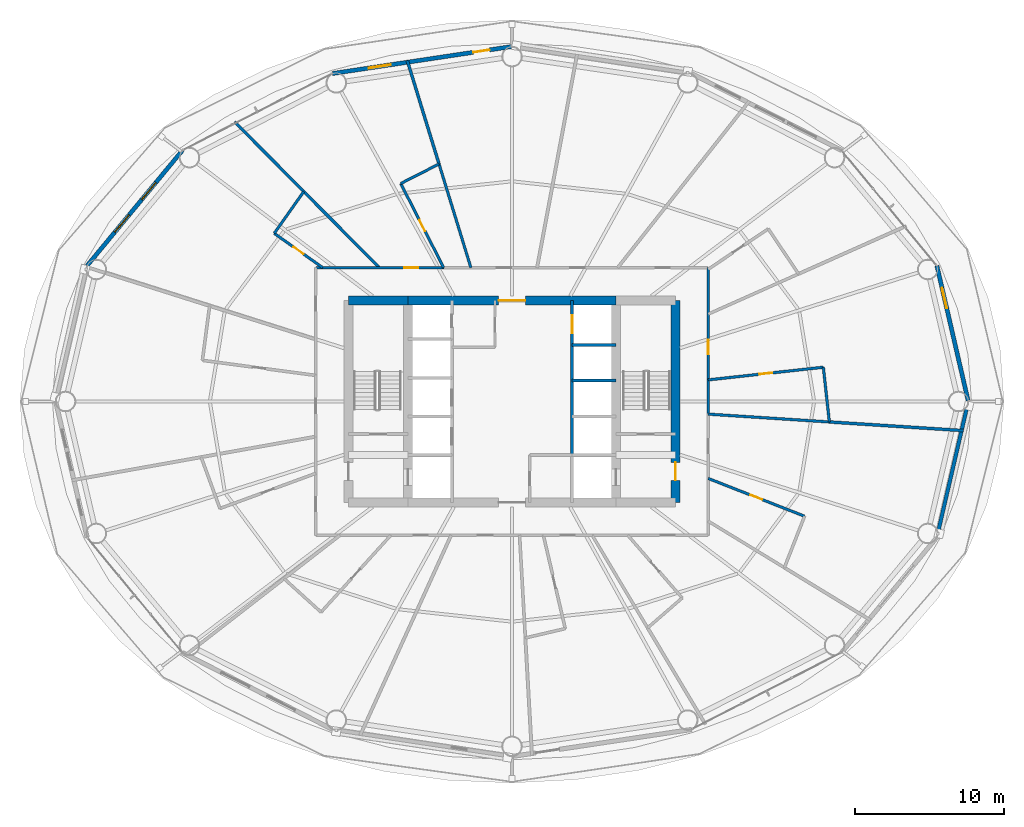
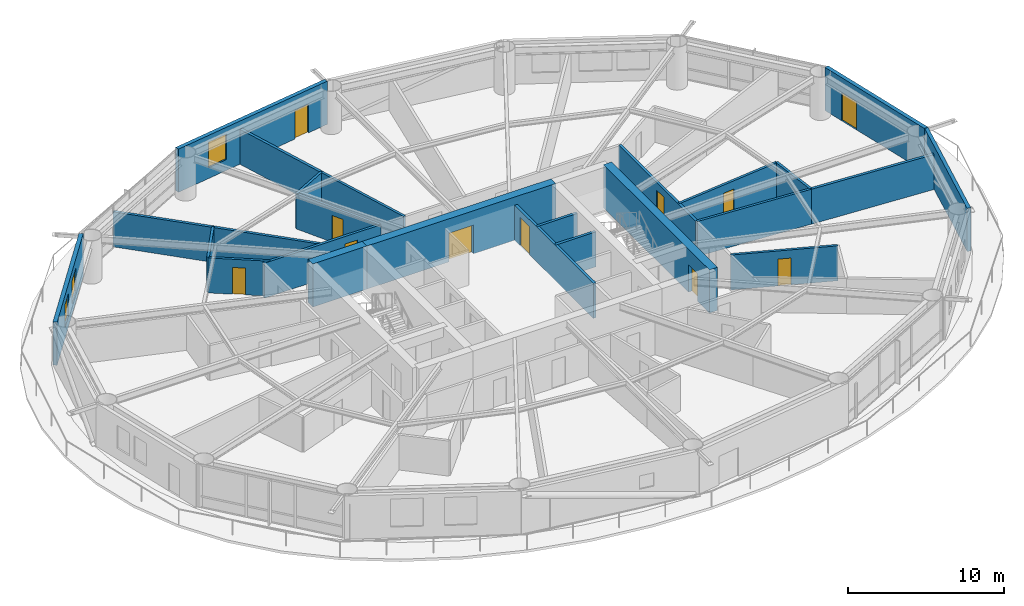
# One storey, part 22 of 26: 24 walls, 11 doors, 3 windows, 14 openings.
"""IFC4 building model written with IfcOpenShell, lengths in metres."""

from ifc_helpers import new_model, si_unit, direction, frame, frame_2d, origin, place, context, subcontext, project, spatial, rectangle, extrude, material, layer, layer_set, type_object, element, fill, save


model = new_model("IFC4")

# Units and contexts
model_context = context("Model", 3, precision=1e-05, world=origin(), true_north=direction((0.0, 1.0)))
body_context = subcontext(model_context, "Body", "Model", "MODEL_VIEW")
ifc_project = project(units=[si_unit("LENGTHUNIT", "METRE"), si_unit("AREAUNIT", "SQUARE_METRE"), si_unit("VOLUMEUNIT", "CUBIC_METRE"), si_unit("PLANEANGLEUNIT", "RADIAN"), si_unit("MASSUNIT", "GRAM", prefix="KILO")], contexts=[model_context])

# Site, building, storey
site_placement = place(None, origin())
site = spatial("IfcSite", under=ifc_project, at=site_placement, CompositionType="ELEMENT")
building_placement = place(site_placement, origin())
building = spatial("IfcBuilding", under=site, at=building_placement, Name="Sarneth Arch Tower", CompositionType="ELEMENT")
storey_placement = place(building_placement, frame((0.0, 0.0, 57.0)))
storey = spatial("IfcBuildingStorey", under=building, at=storey_placement, Name="L13", CompositionType="ELEMENT", Elevation=57.0)

# Wall
ifc_material_1 = material(Name="Concrete C60/75", Category="concrete")
ifc_layer_1 = layer(ifc_material_1, 0.60009765625)
ifc_layer_set_1 = layer_set([ifc_layer_1], Name="Concrete C60/75")
wall_type_1 = type_object("IfcWallType", Name="WALL-CORE-600", PredefinedType="SHEAR", material=ifc_layer_set_1)
wall_1_placement = place(storey_placement, frame((37.0, 48.800048828125, 0.0), z_axis=(0.0, 0.0, 1.0), x_axis=(1.0, 0.0, 0.0)))
element("IfcWall", 1, at=wall_1_placement, inside=storey, type_object=wall_type_1, Name="L13 Core shear wall N-W", PredefinedType="SHEAR", context=body_context, shape_type="SweptSolid", body=[
    extrude(rectangle(XDim=4.0, YDim=0.60009765625, at=frame_2d((2.0, 0.0))), origin(), (0.0, 0.0, 1.0), 3.3798828125),
])

# Wall, opening, door
wall_2_placement = place(storey_placement, frame((41.0, 48.800048828125, 0.0), z_axis=(0.0, 0.0, 1.0), x_axis=(1.0, 0.0, 0.0)))
wall_2 = element("IfcWall", 2, at=wall_2_placement, inside=storey, type_object=wall_type_1, Name="L13 Core shear wall N-M", PredefinedType="SHEAR", context=body_context, shape_type="SweptSolid", body=[
    extrude(rectangle(XDim=14.0, YDim=0.60009765625, at=frame_2d((7.0, 0.0))), origin(), (0.0, 0.0, 1.0), 3.3798828125),
])
opening_1_placement = place(wall_2_placement, frame((6.10009765625, 0.0, 0.0)))
opening_1 = element("IfcOpeningElement", 3, at=opening_1_placement, cuts=wall_2, Name="Opening FD-01", PredefinedType="OPENING", context=body_context, shape_type="SweptSolid", body=[
    extrude(rectangle(XDim=1.800048828125, YDim=2.25, at=frame_2d((0.89990234375, 1.125))), frame((0.0, 0.31005859375, 0.0), z_axis=(0.0, -1.0, 0.0), x_axis=(1.0, 0.0, 0.0)), (0.0, 0.0, 1.0), 0.6201171875),
])
ifc_material_2 = material(Name="Galvanised Steel S275 fire door set", Category="steel")
door_type_1 = type_object("IfcDoorType", Name="DR-FD90-1800", OperationType="DOUBLE_DOOR_SINGLE_SWING", PredefinedType="DOOR", material=ifc_material_2)
door_1_placement = place(opening_1_placement, origin())
door_1 = element("IfcDoor", 4, at=door_1_placement, inside=storey, type_object=door_type_1, Name="L13 Central lift lobby north door", OperationType="DOUBLE_DOOR_SINGLE_SWING", OverallHeight=2.25, OverallWidth=1.800048828125, PredefinedType="DOOR", context=body_context, shape_type="SweptSolid", body=[
    extrude(rectangle(XDim=1.800048828125, YDim=2.25, at=frame_2d((0.89990234375, 1.125))), frame((0.0, 0.02490234375, 0.0), z_axis=(0.0, -1.0, 0.0), x_axis=(1.0, 0.0, 0.0)), (0.0, 0.0, 1.0), 0.050048828125),
])
fill(opening_1, door_1)

wall_3_placement = place(storey_placement, frame((59.0, 35.199951171875, 0.0), z_axis=(0.0, 0.0, 1.0), x_axis=(0.0, 1.0, 0.0)))
wall_3 = element("IfcWall", 5, at=wall_3_placement, inside=storey, type_object=wall_type_1, Name="L13 Core shear wall E", PredefinedType="SHEAR", context=body_context, shape_type="SweptSolid", body=[
    extrude(rectangle(XDim=13.60009765625, YDim=0.60009765625, at=frame_2d((6.800048828125, 0.0))), origin(), (0.0, 0.0, 1.0), 3.3798828125),
])
opening_2_placement = place(wall_3_placement, frame((1.5, 0.0, 0.0)))
opening_2 = element("IfcOpeningElement", 6, at=opening_2_placement, cuts=wall_3, Name="Opening FD-02", PredefinedType="OPENING", context=body_context, shape_type="SweptSolid", body=[
    extrude(rectangle(XDim=1.199951171875, YDim=2.14990234375, at=frame_2d((0.60009765625, 1.074951171875))), frame((0.0, 0.31005859375, 0.0), z_axis=(0.0, -1.0, 0.0), x_axis=(1.0, 0.0, 0.0)), (0.0, 0.0, 1.0), 0.6201171875),
])
ifc_material_3 = material(Name="Galvanised Steel S275 fire door set", Category="steel")
door_type_2 = type_object("IfcDoorType", Name="DR-FD90-1200", OperationType="SINGLE_SWING_LEFT", PredefinedType="DOOR", material=ifc_material_3)
door_2_placement = place(opening_2_placement, origin())
door_2 = element("IfcDoor", 7, at=door_2_placement, inside=storey, type_object=door_type_2, Name="L13 Firefighting lobby 2 exit door", OperationType="SINGLE_SWING_RIGHT", OverallHeight=2.14990234375, OverallWidth=1.199951171875, PredefinedType="DOOR", context=body_context, shape_type="SweptSolid", body=[
    extrude(rectangle(XDim=1.199951171875, YDim=2.14990234375, at=frame_2d((0.60009765625, 1.074951171875))), frame((0.0, 0.02490234375, 0.0), z_axis=(0.0, -1.0, 0.0), x_axis=(1.0, 0.0, 0.0)), (0.0, 0.0, 1.0), 0.050048828125),
])
fill(opening_2, door_2)

ifc_material_4 = material(Name="Double steel-stud corridor fire wall", Category="steel")
ifc_layer_2 = layer(ifc_material_4, 0.18994140625)
ifc_layer_set_2 = layer_set([ifc_layer_2], Name="Double steel-stud corridor fire wall")
wall_type_2 = type_object("IfcWallType", Name="WALL-CORR-190", PredefinedType="PARTITIONING", material=ifc_layer_set_2)
wall_4_placement = place(storey_placement, frame((61.199951171875, 51.0, 0.0), z_axis=(0.0, 0.0, 1.0), x_axis=(0.0, -1.0, 0.0)))
wall_4 = element("IfcWall", 8, at=wall_4_placement, inside=storey, type_object=wall_type_2, Name="L13 Interior partition W-L13-TP-026", PredefinedType="PARTITIONING", context=body_context, shape_type="SweptSolid", body=[
    extrude(rectangle(XDim=9.851806640625, YDim=0.18994140625, at=frame_2d((4.92578125, 0.0))), origin(), (0.0, 0.0, 1.0), 2.739990234375),
])
opening_3_placement = place(wall_4_placement, frame((4.859130859375, 0.0, 0.0)))
opening_3 = element("IfcOpeningElement", 9, at=opening_3_placement, cuts=wall_4, Name="Opening FD-09", PredefinedType="OPENING", context=body_context, shape_type="SweptSolid", body=[
    extrude(rectangle(XDim=0.949951171875, YDim=2.14990234375, at=frame_2d((0.47509765625, 1.074951171875))), frame((0.0, 0.10498046875, 0.0), z_axis=(0.0, -1.0, 0.0), x_axis=(1.0, 0.0, 0.0)), (0.0, 0.0, 1.0), 0.2099609375),
])
ifc_material_5 = material(Name="Hardwood timber hotel entrance fire door", Category="wood")
door_type_3 = type_object("IfcDoorType", Name="DR-FD60-950", OperationType="SINGLE_SWING_RIGHT", PredefinedType="DOOR", material=ifc_material_5)
door_3_placement = place(opening_3_placement, origin())
door_3 = element("IfcDoor", 10, at=door_3_placement, inside=storey, type_object=door_type_3, Name="L13 Interior door DR-L13-KEY-13", OperationType="SINGLE_SWING_RIGHT", OverallHeight=2.14990234375, OverallWidth=0.949951171875, PredefinedType="DOOR", context=body_context, shape_type="SweptSolid", body=[
    extrude(rectangle(XDim=0.949951171875, YDim=2.14990234375, at=frame_2d((0.47509765625, 1.074951171875))), frame((0.0, 0.02490234375, 0.0), z_axis=(0.0, -1.0, 0.0), x_axis=(1.0, 0.0, 0.0)), (0.0, 0.0, 1.0), 0.050048828125),
])
fill(opening_3, door_3)

wall_5_placement = place(storey_placement, frame((34.800048828125, 51.0, 0.0), z_axis=(0.0, 0.0, 1.0), x_axis=(1.0, 0.0, 0.0)))
wall_5 = element("IfcWall", 11, at=wall_5_placement, inside=storey, type_object=wall_type_2, Name="L13 Interior partition W-L13-TP-006", PredefinedType="PARTITIONING", context=body_context, shape_type="SweptSolid", body=[
    extrude(rectangle(XDim=8.640869140625, YDim=0.18994140625, at=frame_2d((4.3203125, 0.0))), origin(), (0.0, 0.0, 1.0), 2.739990234375),
])
opening_4_placement = place(wall_5_placement, frame((5.958984375, 0.0, 0.0)))
opening_4 = element("IfcOpeningElement", 12, at=opening_4_placement, cuts=wall_5, Name="Opening FD-09", PredefinedType="OPENING", context=body_context, shape_type="SweptSolid", body=[
    extrude(rectangle(XDim=0.949951171875, YDim=2.14990234375, at=frame_2d((0.47509765625, 1.074951171875))), frame((0.0, 0.10498046875, 0.0), z_axis=(0.0, -1.0, 0.0), x_axis=(1.0, 0.0, 0.0)), (0.0, 0.0, 1.0), 0.2099609375),
])
door_4_placement = place(opening_4_placement, origin())
door_4 = element("IfcDoor", 13, at=door_4_placement, inside=storey, type_object=door_type_3, Name="L13 Interior door DR-L13-KEY-04", OperationType="SINGLE_SWING_RIGHT", OverallHeight=2.14990234375, OverallWidth=0.949951171875, PredefinedType="DOOR", context=body_context, shape_type="SweptSolid", body=[
    extrude(rectangle(XDim=0.949951171875, YDim=2.14990234375, at=frame_2d((0.47509765625, 1.074951171875))), frame((0.0, 0.02490234375, 0.0), z_axis=(0.0, -1.0, 0.0), x_axis=(1.0, 0.0, 0.0)), (0.0, 0.0, 1.0), 0.050048828125),
])
fill(opening_4, door_4)

# Wall
ifc_material_6 = material(Name="Extruded terracotta rainscreen on Concrete C40/50 backing", Category="masonry")
ifc_layer_3 = layer(ifc_material_6, 0.25)
ifc_layer_set_3 = layer_set([ifc_layer_3], Name="Extruded terracotta rainscreen on Concrete C40/50 backing")
wall_type_3 = type_object("IfcWallType", Name="WALL-EXT-SPAND-250", PredefinedType="SOLIDWALL", material=ifc_layer_set_3)
wall_6_placement = place(storey_placement, frame((76.5810546875, 32.861572265625, 0.0), z_axis=(0.0, 0.0, 1.0), x_axis=(0.225454452941, 0.974253709076, 0.0)))
element("IfcWall", 14, at=wall_6_placement, inside=storey, type_object=wall_type_3, Name="L13 Terracotta perimeter wall 16", PredefinedType="SOLIDWALL", context=body_context, shape_type="SweptSolid", body=[
    extrude(rectangle(XDim=9.3798828125, YDim=0.25, at=frame_2d((4.68994140625, 0.0))), origin(), (0.0, 0.0, 1.0), 3.3798828125),
])

# Wall, opening, door
ifc_material_7 = material(Name="Extruded terracotta rainscreen on Concrete C40/50 backing", Category="masonry")
ifc_layer_4 = layer(ifc_material_7, 0.280029296875)
ifc_layer_set_4 = layer_set([ifc_layer_4], Name="Extruded terracotta rainscreen on Concrete C40/50 backing")
wall_type_4 = type_object("IfcWallType", Name="WALL-EXT-TERRA-280", PredefinedType="SOLIDWALL", material=ifc_layer_set_4)
wall_7_placement = place(storey_placement, frame((78.69580078125, 42.0, 0.0), z_axis=(0.0, 0.0, 1.0), x_axis=(-0.225454452941, 0.974253709076, 0.0)))
wall_7 = element("IfcWall", 15, at=wall_7_placement, inside=storey, type_object=wall_type_4, Name="L13 Terracotta perimeter wall 01", PredefinedType="SOLIDWALL", context=body_context, shape_type="SweptSolid", body=[
    extrude(rectangle(XDim=9.3798828125, YDim=0.280029296875, at=frame_2d((4.68994140625, 0.0))), origin(), (0.0, 0.0, 1.0), 3.3798828125),
])
opening_5_placement = place(wall_7_placement, frame((6.435302734375, 0.0, 0.0)))
opening_5 = element("IfcOpeningElement", 16, at=opening_5_placement, cuts=wall_7, Name="Opening BD-2", PredefinedType="OPENING", context=body_context, shape_type="SweptSolid", body=[
    extrude(rectangle(XDim=1.39990234375, YDim=2.199951171875, at=frame_2d((0.699951171875, 1.10009765625))), frame((0.0, 0.14990234375, 0.0), z_axis=(0.0, -1.0, 0.0), x_axis=(1.0, 0.0, 0.0)), (0.0, 0.0, 1.0), 0.300048828125),
])
ifc_material_8 = material(Name="Thermally broken Aluminium 6063-T6 and laminated safety glass", Category="aluminium")
door_type_4 = type_object("IfcDoorType", Name="DR-BALC-GLZ-1400", OperationType="SINGLE_SWING_LEFT", PredefinedType="DOOR", material=ifc_material_8)
door_5_placement = place(opening_5_placement, origin())
door_5 = element("IfcDoor", 17, at=door_5_placement, inside=storey, type_object=door_type_4, Name="L13 Balcony glazed door 01", OperationType="SINGLE_SWING_LEFT", OverallHeight=2.199951171875, OverallWidth=1.39990234375, PredefinedType="DOOR", context=body_context, shape_type="SweptSolid", body=[
    extrude(rectangle(XDim=1.39990234375, YDim=2.199951171875, at=frame_2d((0.699951171875, 1.10009765625))), frame((0.0, 0.02490234375, 0.0), z_axis=(0.0, -1.0, 0.0), x_axis=(1.0, 0.0, 0.0)), (0.0, 0.0, 1.0), 0.050048828125),
])
fill(opening_5, door_5)

# Wall, openings, door, window
wall_8_placement = place(storey_placement, frame((48.0, 65.8798828125, 0.0), z_axis=(0.0, 0.0, 1.0), x_axis=(-0.988864835849, -0.148816452121, 0.0)))
wall_8 = element("IfcWall", 18, at=wall_8_placement, inside=storey, type_object=wall_type_4, Name="L13 Terracotta perimeter wall 05", PredefinedType="SOLIDWALL", context=body_context, shape_type="SweptSolid", body=[
    extrude(rectangle(XDim=12.2138671875, YDim=0.280029296875, at=frame_2d((6.10693359375, 0.0))), origin(), (0.0, 0.0, 1.0), 3.3798828125),
])
opening_6_placement = place(wall_8_placement, frame((1.53125, 0.0, 0.0)))
opening_6 = element("IfcOpeningElement", 19, at=opening_6_placement, cuts=wall_8, Name="Opening BD-3", PredefinedType="OPENING", context=body_context, shape_type="SweptSolid", body=[
    extrude(rectangle(XDim=1.10009765625, YDim=2.25, at=frame_2d((0.550048828125, 1.125))), frame((0.0, 0.14990234375, 0.0), z_axis=(0.0, -1.0, 0.0), x_axis=(1.0, 0.0, 0.0)), (0.0, 0.0, 1.0), 0.300048828125),
])
opening_7_placement = place(wall_8_placement, frame((8.25439453125, 0.0, 0.85009765625)))
opening_7 = element("IfcOpeningElement", 20, at=opening_7_placement, cuts=wall_8, Name="Opening W-06", PredefinedType="OPENING", context=body_context, shape_type="SweptSolid", body=[
    extrude(rectangle(XDim=1.5, YDim=2.0, at=frame_2d((0.75, 1.0))), frame((0.0, 0.14990234375, 0.0), z_axis=(0.0, -1.0, 0.0), x_axis=(1.0, 0.0, 0.0)), (0.0, 0.0, 1.0), 0.300048828125),
])
ifc_material_9 = material(Name="Thermally broken Aluminium 6063-T6 and laminated safety glass", Category="aluminium")
door_type_5 = type_object("IfcDoorType", Name="DR-BALC-GLZ-1100", OperationType="SINGLE_SWING_LEFT", PredefinedType="DOOR", material=ifc_material_9)
door_6_placement = place(opening_6_placement, origin())
door_6 = element("IfcDoor", 21, at=door_6_placement, inside=storey, type_object=door_type_5, Name="L13 Balcony glazed door 05", OperationType="SINGLE_SWING_LEFT", OverallHeight=2.25, OverallWidth=1.10009765625, PredefinedType="DOOR", context=body_context, shape_type="SweptSolid", body=[
    extrude(rectangle(XDim=1.10009765625, YDim=2.25, at=frame_2d((0.550048828125, 1.125))), frame((0.0, 0.02490234375, 0.0), z_axis=(0.0, -1.0, 0.0), x_axis=(1.0, 0.0, 0.0)), (0.0, 0.0, 1.0), 0.050048828125),
])
fill(opening_6, door_6)
ifc_material_10 = material(Name="Thermally broken Aluminium 6063-T6 and low-e laminated IGU", Category="aluminium")
window_type_1 = type_object("IfcWindowType", Name="WIN-TWR-1500x2000", PartitioningType="SINGLE_PANEL", PredefinedType="WINDOW", material=ifc_material_10)
window_1_placement = place(opening_7_placement, origin())
window_1 = element("IfcWindow", 22, at=window_1_placement, inside=storey, type_object=window_type_1, Name="L13 Exterior window 05A", OverallHeight=2.0, OverallWidth=1.5, PartitioningType="SINGLE_PANEL", PredefinedType="WINDOW", context=body_context, shape_type="SweptSolid", body=[
    extrude(rectangle(XDim=1.5, YDim=2.0, at=frame_2d((0.75, 1.0))), frame((0.0, 0.030029296875, 0.0), z_axis=(0.0, -1.0, 0.0), x_axis=(1.0, 0.0, 0.0)), (0.0, 0.0, 1.0), 0.06005859375),
])
fill(opening_7, window_1)

# Wall, openings, windows
wall_9_placement = place(storey_placement, frame((25.825927734375, 58.8857421875, 0.0), z_axis=(0.0, 0.0, 1.0), x_axis=(-0.637296809613, -0.770618437657, 0.0)))
wall_9 = element("IfcWall", 23, at=wall_9_placement, inside=storey, type_object=wall_type_4, Name="L13 Terracotta perimeter wall 07", PredefinedType="SOLIDWALL", context=body_context, shape_type="SweptSolid", body=[
    extrude(rectangle(XDim=10.053466796875, YDim=0.280029296875, at=frame_2d((5.02685546875, 0.0))), origin(), (0.0, 0.0, 1.0), 3.3798828125),
])
opening_8_placement = place(wall_9_placement, frame((2.798095703125, 0.0, 0.85009765625)))
opening_8 = element("IfcOpeningElement", 24, at=opening_8_placement, cuts=wall_9, Name="Opening W-07", PredefinedType="OPENING", context=body_context, shape_type="SweptSolid", body=[
    extrude(rectangle(XDim=1.5, YDim=1.800048828125, at=frame_2d((0.75, 0.89990234375))), frame((0.0, 0.14990234375, 0.0), z_axis=(0.0, -1.0, 0.0), x_axis=(1.0, 0.0, 0.0)), (0.0, 0.0, 1.0), 0.300048828125),
])
opening_9_placement = place(wall_9_placement, frame((5.6298828125, 0.0, 0.85009765625)))
opening_9 = element("IfcOpeningElement", 25, at=opening_9_placement, cuts=wall_9, Name="Opening W-07", PredefinedType="OPENING", context=body_context, shape_type="SweptSolid", body=[
    extrude(rectangle(XDim=1.5, YDim=1.800048828125, at=frame_2d((0.75, 0.89990234375))), frame((0.0, 0.14990234375, 0.0), z_axis=(0.0, -1.0, 0.0), x_axis=(1.0, 0.0, 0.0)), (0.0, 0.0, 1.0), 0.300048828125),
])
ifc_material_11 = material(Name="Thermally broken Aluminium 6063-T6 and low-e laminated IGU", Category="aluminium")
window_type_2 = type_object("IfcWindowType", Name="WIN-TWR-1500x1800", PartitioningType="SINGLE_PANEL", PredefinedType="WINDOW", material=ifc_material_11)
window_2_placement = place(opening_8_placement, origin())
window_2 = element("IfcWindow", 26, at=window_2_placement, inside=storey, type_object=window_type_2, Name="L13 Exterior window 07A", OverallHeight=1.800048828125, OverallWidth=1.5, PartitioningType="SINGLE_PANEL", PredefinedType="WINDOW", context=body_context, shape_type="SweptSolid", body=[
    extrude(rectangle(XDim=1.5, YDim=1.800048828125, at=frame_2d((0.75, 0.89990234375))), frame((0.0, 0.030029296875, 0.0), z_axis=(0.0, -1.0, 0.0), x_axis=(1.0, 0.0, 0.0)), (0.0, 0.0, 1.0), 0.06005859375),
])
fill(opening_8, window_2)
window_3_placement = place(opening_9_placement, origin())
window_3 = element("IfcWindow", 27, at=window_3_placement, inside=storey, type_object=window_type_2, Name="L13 Exterior window 07B", OverallHeight=1.800048828125, OverallWidth=1.5, PartitioningType="SINGLE_PANEL", PredefinedType="WINDOW", context=body_context, shape_type="SweptSolid", body=[
    extrude(rectangle(XDim=1.5, YDim=1.800048828125, at=frame_2d((0.75, 0.89990234375))), frame((0.0, 0.030029296875, 0.0), z_axis=(0.0, -1.0, 0.0), x_axis=(1.0, 0.0, 0.0)), (0.0, 0.0, 1.0), 0.06005859375),
])
fill(opening_9, window_3)

# Wall
ifc_material_12 = material(Name="Moisture-resistant plumbing chase wall", Category="gypsum")
ifc_layer_5 = layer(ifc_material_12, 0.179931640625)
ifc_layer_set_5 = layer_set([ifc_layer_5], Name="Moisture-resistant plumbing chase wall")
wall_type_5 = type_object("IfcWallType", Name="WALL-PLUMB-180", PredefinedType="PLUMBINGWALL", material=ifc_layer_set_5)
wall_10_placement = place(storey_placement, frame((69.34912109375, 40.622314453125, 0.0), z_axis=(0.0, 0.0, 1.0), x_axis=(-0.997924317455, 0.064397644621, 0.0)))
element("IfcWall", 28, at=wall_10_placement, inside=storey, type_object=wall_type_5, Name="L13 Interior partition W-L13-TP-068", PredefinedType="PLUMBINGWALL", context=body_context, shape_type="SweptSolid", body=[
    extrude(rectangle(XDim=8.166015625, YDim=0.179931640625, at=frame_2d((4.0830078125, 0.0))), origin(), (0.0, 0.0, 1.0), 2.739990234375),
])

# Wall, opening, door
wall_11_placement = place(storey_placement, frame((61.199951171875, 43.451904296875, 0.0), z_axis=(0.0, 0.0, 1.0), x_axis=(0.994005037085, 0.109334286708, 0.0)))
wall_11 = element("IfcWall", 29, at=wall_11_placement, inside=storey, type_object=wall_type_5, Name="L13 Interior partition W-L13-TP-069", PredefinedType="PLUMBINGWALL", context=body_context, shape_type="SweptSolid", body=[
    extrude(rectangle(XDim=7.790771484375, YDim=0.179931640625, at=frame_2d((3.8955078125, 0.0))), origin(), (0.0, 0.0, 1.0), 2.739990234375),
])
opening_10_placement = place(wall_11_placement, frame((3.470458984375, 0.0, 0.0)))
opening_10 = element("IfcOpeningElement", 30, at=opening_10_placement, cuts=wall_11, Name="Opening ID-02", PredefinedType="OPENING", context=body_context, shape_type="SweptSolid", body=[
    extrude(rectangle(XDim=0.85009765625, YDim=2.10009765625, at=frame_2d((0.425048828125, 1.050048828125))), frame((0.0, 0.099853515625, 0.0), z_axis=(0.0, -1.0, 0.0), x_axis=(1.0, 0.0, 0.0)), (0.0, 0.0, 1.0), 0.199951171875),
])
ifc_material_13 = material(Name="Moisture-resistant bathroom timber door", Category="wood")
door_type_6 = type_object("IfcDoorType", Name="DR-INT-850", OperationType="SINGLE_SWING_RIGHT", PredefinedType="DOOR", material=ifc_material_13)
door_7_placement = place(opening_10_placement, origin())
door_7 = element("IfcDoor", 31, at=door_7_placement, inside=storey, type_object=door_type_6, Name="L13 Interior door DR-L13-ENS-13", OperationType="SINGLE_SWING_LEFT", OverallHeight=2.10009765625, OverallWidth=0.85009765625, PredefinedType="DOOR", context=body_context, shape_type="SweptSolid", body=[
    extrude(rectangle(XDim=0.85009765625, YDim=2.10009765625, at=frame_2d((0.425048828125, 1.050048828125))), frame((0.0, 0.02490234375, 0.0), z_axis=(0.0, -1.0, 0.0), x_axis=(1.0, 0.0, 0.0)), (0.0, 0.0, 1.0), 0.050048828125),
])
fill(opening_10, door_7)

# Wall
wall_12_placement = place(storey_placement, frame((43.092041015625, 57.976318359375, 0.0), z_axis=(0.0, 0.0, 1.0), x_axis=(0.293648581073, -0.95591344317, 0.0)))
element("IfcWall", 32, at=wall_12_placement, inside=storey, type_object=wall_type_5, Name="L13 Interior partition W-L13-TP-035", PredefinedType="PLUMBINGWALL", context=body_context, shape_type="SweptSolid", body=[
    extrude(rectangle(XDim=7.298095703125, YDim=0.179931640625, at=frame_2d((3.64892578125, 0.0))), origin(), (0.0, 0.0, 1.0), 2.739990234375),
])

# Wall, opening, door
wall_13_placement = place(storey_placement, frame((61.199951171875, 36.822998046875, 0.0), z_axis=(0.0, 0.0, 1.0), x_axis=(0.930954264603, -0.365135806539, 0.0)))
wall_13 = element("IfcWall", 33, at=wall_13_placement, inside=storey, type_object=wall_type_5, Name="L13 Interior partition W-L13-TP-065", PredefinedType="PLUMBINGWALL", context=body_context, shape_type="SweptSolid", body=[
    extrude(rectangle(XDim=6.961181640625, YDim=0.179931640625, at=frame_2d((3.48046875, 0.0))), origin(), (0.0, 0.0, 1.0), 2.739990234375),
])
opening_11_placement = place(wall_13_placement, frame((3.055419921875, 0.0, 0.0)))
opening_11 = element("IfcOpeningElement", 34, at=opening_11_placement, cuts=wall_13, Name="Opening ID-02", PredefinedType="OPENING", context=body_context, shape_type="SweptSolid", body=[
    extrude(rectangle(XDim=0.85009765625, YDim=2.10009765625, at=frame_2d((0.425048828125, 1.050048828125))), frame((0.0, 0.099853515625, 0.0), z_axis=(0.0, -1.0, 0.0), x_axis=(1.0, 0.0, 0.0)), (0.0, 0.0, 1.0), 0.199951171875),
])
door_8_placement = place(opening_11_placement, origin())
door_8 = element("IfcDoor", 35, at=door_8_placement, inside=storey, type_object=door_type_6, Name="L13 Interior door DR-L13-ENS-12", OperationType="SINGLE_SWING_LEFT", OverallHeight=2.10009765625, OverallWidth=0.85009765625, PredefinedType="DOOR", context=body_context, shape_type="SweptSolid", body=[
    extrude(rectangle(XDim=0.85009765625, YDim=2.10009765625, at=frame_2d((0.425048828125, 1.050048828125))), frame((0.0, 0.02490234375, 0.0), z_axis=(0.0, -1.0, 0.0), x_axis=(1.0, 0.0, 0.0)), (0.0, 0.0, 1.0), 0.050048828125),
])
fill(opening_11, door_8)

wall_14_placement = place(storey_placement, frame((43.405029296875, 51.0, 0.0), z_axis=(0.0, 0.0, 1.0), x_axis=(-0.454680565764, 0.890654581259, 0.0)))
wall_14 = element("IfcWall", 36, at=wall_14_placement, inside=storey, type_object=wall_type_5, Name="L13 Interior partition W-L13-TP-036", PredefinedType="PLUMBINGWALL", context=body_context, shape_type="SweptSolid", body=[
    extrude(rectangle(XDim=6.35595703125, YDim=0.179931640625, at=frame_2d((3.177978515625, 0.0))), origin(), (0.0, 0.0, 1.0), 2.739990234375),
])
opening_12_placement = place(wall_14_placement, frame((2.7529296875, 0.0, 0.0)))
opening_12 = element("IfcOpeningElement", 37, at=opening_12_placement, cuts=wall_14, Name="Opening ID-02", PredefinedType="OPENING", context=body_context, shape_type="SweptSolid", body=[
    extrude(rectangle(XDim=0.85009765625, YDim=2.10009765625, at=frame_2d((0.425048828125, 1.050048828125))), frame((0.0, 0.099853515625, 0.0), z_axis=(0.0, -1.0, 0.0), x_axis=(1.0, 0.0, 0.0)), (0.0, 0.0, 1.0), 0.199951171875),
])
door_9_placement = place(opening_12_placement, origin())
door_9 = element("IfcDoor", 38, at=door_9_placement, inside=storey, type_object=door_type_6, Name="L13 Interior door DR-L13-ENS-04", OperationType="SINGLE_SWING_RIGHT", OverallHeight=2.10009765625, OverallWidth=0.85009765625, PredefinedType="DOOR", context=body_context, shape_type="SweptSolid", body=[
    extrude(rectangle(XDim=0.85009765625, YDim=2.10009765625, at=frame_2d((0.425048828125, 1.050048828125))), frame((0.0, 0.02490234375, 0.0), z_axis=(0.0, -1.0, 0.0), x_axis=(1.0, 0.0, 0.0)), (0.0, 0.0, 1.0), 0.050048828125),
])
fill(opening_12, door_9)

wall_15_placement = place(storey_placement, frame((32.0048828125, 53.30908203125, 0.0), z_axis=(0.0, 0.0, 1.0), x_axis=(0.816524416543, -0.577310901672, 0.0)))
wall_15 = element("IfcWall", 39, at=wall_15_placement, inside=storey, type_object=wall_type_5, Name="L13 Interior partition W-L13-TP-041", PredefinedType="PLUMBINGWALL", context=body_context, shape_type="SweptSolid", body=[
    extrude(rectangle(XDim=3.999755859375, YDim=0.179931640625, at=frame_2d((2.0, 0.0))), origin(), (0.0, 0.0, 1.0), 2.739990234375),
])
opening_13_placement = place(wall_15_placement, frame((1.574951171875, 0.0, 0.0)))
opening_13 = element("IfcOpeningElement", 40, at=opening_13_placement, cuts=wall_15, Name="Opening ID-02", PredefinedType="OPENING", context=body_context, shape_type="SweptSolid", body=[
    extrude(rectangle(XDim=0.85009765625, YDim=2.10009765625, at=frame_2d((0.425048828125, 1.050048828125))), frame((0.0, 0.099853515625, 0.0), z_axis=(0.0, -1.0, 0.0), x_axis=(1.0, 0.0, 0.0)), (0.0, 0.0, 1.0), 0.199951171875),
])
door_10_placement = place(opening_13_placement, origin())
door_10 = element("IfcDoor", 41, at=door_10_placement, inside=storey, type_object=door_type_6, Name="L13 Interior door DR-L13-ENS-05", OperationType="SINGLE_SWING_RIGHT", OverallHeight=2.10009765625, OverallWidth=0.85009765625, PredefinedType="DOOR", context=body_context, shape_type="SweptSolid", body=[
    extrude(rectangle(XDim=0.85009765625, YDim=2.10009765625, at=frame_2d((0.425048828125, 1.050048828125))), frame((0.0, 0.02490234375, 0.0), z_axis=(0.0, -1.0, 0.0), x_axis=(1.0, 0.0, 0.0)), (0.0, 0.0, 1.0), 0.050048828125),
])
fill(opening_13, door_10)

# Walls
wall_16_placement = place(storey_placement, frame((68.944091796875, 44.3037109375, 0.0), z_axis=(0.0, 0.0, 1.0), x_axis=(0.109360669908, -0.994002134745, 0.0)))
element("IfcWall", 42, at=wall_16_placement, inside=storey, type_object=wall_type_5, Name="L13 Interior partition W-L13-TP-070", PredefinedType="PLUMBINGWALL", context=body_context, shape_type="SweptSolid", body=[
    extrude(rectangle(XDim=3.70361328125, YDim=0.179931640625, at=frame_2d((1.851806640625, 0.0))), origin(), (0.0, 0.0, 1.0), 2.739990234375),
])
wall_17_placement = place(storey_placement, frame((33.99267578125, 56.12060546875, 0.0), z_axis=(0.0, 0.0, 1.0), x_axis=(-0.57730102799, -0.816531397487, 0.0)))
element("IfcWall", 43, at=wall_17_placement, inside=storey, type_object=wall_type_5, Name="L13 Interior partition W-L13-TP-040", PredefinedType="PLUMBINGWALL", context=body_context, shape_type="SweptSolid", body=[
    extrude(rectangle(XDim=3.443359375, YDim=0.179931640625, at=frame_2d((1.7216796875, 0.0))), origin(), (0.0, 0.0, 1.0), 2.739990234375),
])
wall_18_placement = place(storey_placement, frame((40.51513671875, 56.660888671875, 0.0), z_axis=(0.0, 0.0, 1.0), x_axis=(0.890666340124, 0.454657531083, 0.0)))
element("IfcWall", 44, at=wall_18_placement, inside=storey, type_object=wall_type_5, Name="L13 Interior partition W-L13-TP-037", PredefinedType="PLUMBINGWALL", context=body_context, shape_type="SweptSolid", body=[
    extrude(rectangle(XDim=2.893310546875, YDim=0.179931640625, at=frame_2d((1.44677734375, 0.0))), origin(), (0.0, 0.0, 1.0), 2.739990234375),
])

# Wall, opening, door
ifc_material_14 = material(Name="Aerated concrete blockwork C25/30", Category="masonry")
ifc_layer_6 = layer(ifc_material_14, 0.199951171875)
ifc_layer_set_6 = layer_set([ifc_layer_6], Name="Aerated concrete blockwork C25/30")
wall_type_6 = type_object("IfcWallType", Name="WALL-SHAFT-200", PredefinedType="SOLIDWALL", material=ifc_layer_set_6)
wall_19_placement = place(storey_placement, frame((52.050048828125, 38.39990234375, 0.0), z_axis=(0.0, 0.0, 1.0), x_axis=(0.0, 1.0, 0.0)))
wall_19 = element("IfcWall", 45, at=wall_19_placement, inside=storey, type_object=wall_type_6, Name="L13 Interior partition W-L13-EASTBANK-FRONT", PredefinedType="SOLIDWALL", context=body_context, shape_type="SweptSolid", body=[
    extrude(rectangle(XDim=10.400146484375, YDim=0.199951171875, at=frame_2d((5.2001953125, 0.0))), origin(), (0.0, 0.0, 1.0), 2.739990234375),
])
opening_14_placement = place(wall_19_placement, frame((8.199951171875, 0.0, 0.0)))
opening_14 = element("IfcOpeningElement", 46, at=opening_14_placement, cuts=wall_19, Name="Opening LD-2", PredefinedType="OPENING", context=body_context, shape_type="SweptSolid", body=[
    extrude(rectangle(XDim=1.199951171875, YDim=2.199951171875, at=frame_2d((0.60009765625, 1.10009765625))), frame((0.0, 0.10986328125, 0.0), z_axis=(0.0, -1.0, 0.0), x_axis=(1.0, 0.0, 0.0)), (0.0, 0.0, 1.0), 0.219970703125),
])
ifc_material_15 = material(Name="Brushed Stainless Steel 304 service lift door", Category="steel")
door_type_7 = type_object("IfcDoorType", Name="DR-LIFT-SLIDE-1200", OperationType="SLIDING_TO_RIGHT", PredefinedType="DOOR", material=ifc_material_15)
door_11_placement = place(opening_14_placement, origin())
door_11 = element("IfcDoor", 47, at=door_11_placement, inside=storey, type_object=door_type_7, Name="L13 Lift landing door DR-L13-LD-SL1", OperationType="SLIDING_TO_RIGHT", OverallHeight=2.199951171875, OverallWidth=1.199951171875, PredefinedType="DOOR", context=body_context, shape_type="SweptSolid", body=[
    extrude(rectangle(XDim=1.199951171875, YDim=2.199951171875, at=frame_2d((0.60009765625, 1.10009765625))), frame((0.0, 0.02490234375, 0.0), z_axis=(0.0, -1.0, 0.0), x_axis=(1.0, 0.0, 0.0)), (0.0, 0.0, 1.0), 0.050048828125),
])
fill(opening_14, door_11)

# Walls
for number, where, z_axis, x_axis, name in (
    (48, (52.050048828125, 43.419921875, 0.0), (0.0, 0.0, 1.0), (1.0, 0.0, 0.0), "L13 Interior partition W-L13-EB-DIV-4342"),
    (49, (52.050048828125, 45.800048828125, 0.0), (0.0, 0.0, 1.0), (1.0, 0.0, 0.0), "L13 Interior partition W-L13-EB-DIV-4580"),
):
    element("IfcWall", number, at=place(storey_placement, frame(where, z_axis=z_axis, x_axis=x_axis)), inside=storey, type_object=wall_type_6, Name=name, PredefinedType="SOLIDWALL", context=body_context, shape_type="SweptSolid", body=[
        extrude(rectangle(XDim=2.949951171875, YDim=0.199951171875, at=frame_2d((1.47509765625, 0.0))), origin(), (0.0, 0.0, 1.0), 2.739990234375),
    ])
ifc_material_16 = material(Name="Double steel-stud acoustic drywall", Category="steel")
ifc_layer_7 = layer(ifc_material_16, 0.199951171875)
ifc_layer_set_7 = layer_set([ifc_layer_7], Name="Double steel-stud acoustic drywall")
wall_type_7 = type_object("IfcWallType", Name="WALL-UNIT-200", PredefinedType="PARTITIONING", material=ifc_layer_set_7)
wall_20_placement = place(storey_placement, frame((78.364013671875, 40.04052734375, 0.0), z_axis=(0.0, 0.0, 1.0), x_axis=(-0.997924020497, 0.064402246198, 0.0)))
element("IfcWall", 50, at=wall_20_placement, inside=storey, type_object=wall_type_7, Name="L13 Interior partition W-L13-TP-067", PredefinedType="PARTITIONING", context=body_context, shape_type="SweptSolid", body=[
    extrude(rectangle(XDim=9.03369140625, YDim=0.199951171875, at=frame_2d((4.516845703125, 0.0))), origin(), (0.0, 0.0, 1.0), 2.739990234375),
])
wall_21_placement = place(storey_placement, frame((40.953125, 64.939453125, 0.0), z_axis=(0.0, 0.0, 1.0), x_axis=(0.293635973675, -0.955917315966, 0.0)))
element("IfcWall", 51, at=wall_21_placement, inside=storey, type_object=wall_type_7, Name="L13 Interior partition W-L13-TP-034", PredefinedType="PARTITIONING", context=body_context, shape_type="SweptSolid", body=[
    extrude(rectangle(XDim=7.2841796875, YDim=0.199951171875, at=frame_2d((3.64208984375, 0.0))), origin(), (0.0, 0.0, 1.0), 2.739990234375),
])
wall_22_placement = place(storey_placement, frame((39.072265625, 51.0, 0.0), z_axis=(0.0, 0.0, 1.0), x_axis=(-0.704257683765, 0.70994444491, 0.0)))
element("IfcWall", 52, at=wall_22_placement, inside=storey, type_object=wall_type_7, Name="L13 Interior partition W-L13-TP-039", PredefinedType="PARTITIONING", context=body_context, shape_type="SweptSolid", body=[
    extrude(rectangle(XDim=13.823974609375, YDim=0.199951171875, at=frame_2d((6.912109375, 0.0))), origin(), (0.0, 0.0, 1.0), 2.739990234375),
])

save(model, "model.ifc")
